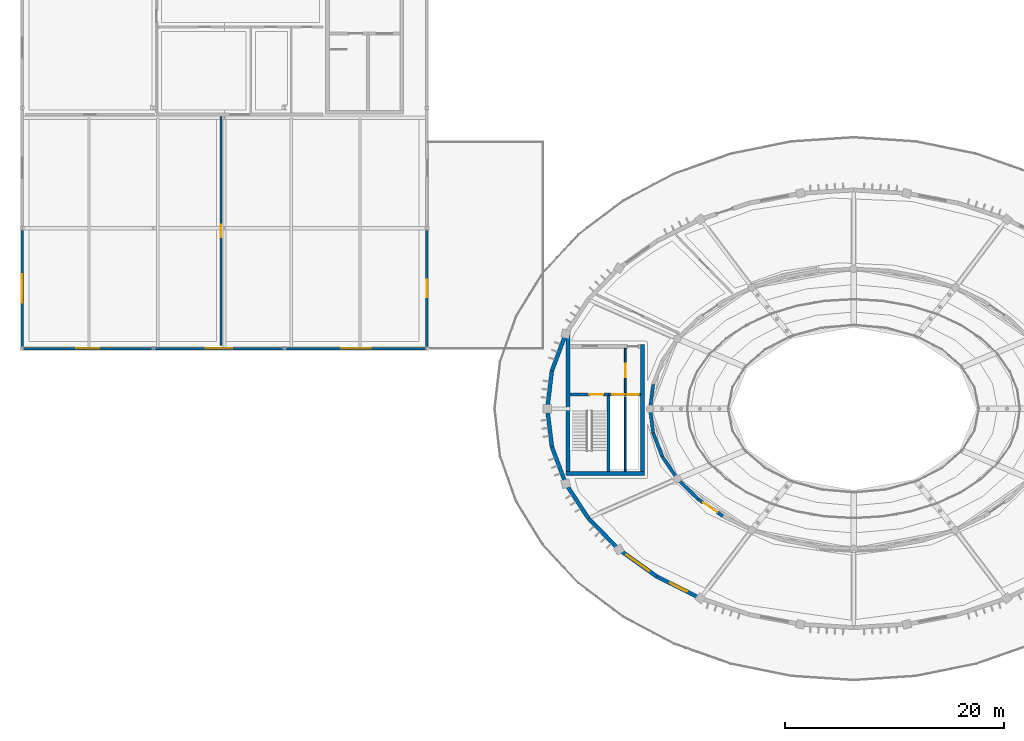
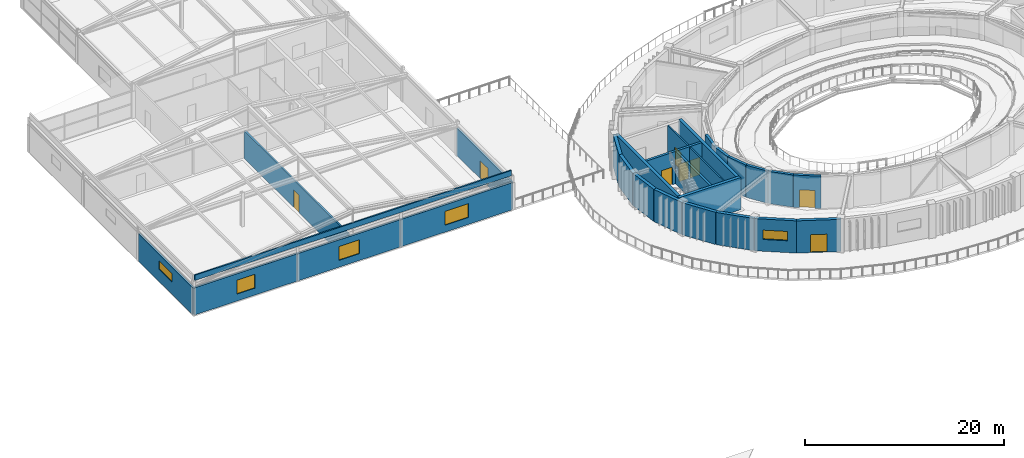
# One storey, part 44 of 63: 29 walls, 8 doors, 5 windows, 13 openings.
"""IFC4 building model written with IfcOpenShell, lengths in metres."""

from ifc_helpers import new_model, si_unit, direction, frame, frame_2d, origin, place, context, subcontext, project, spatial, rectangle, extrude, material, layer, layer_set, type_object, element, fill, save


model = new_model("IFC4")

# Units and contexts
model_context = context("Model", 3, precision=1e-05, world=origin(), true_north=direction((0.0, 1.0)))
body_context = subcontext(model_context, "Body", "Model", "MODEL_VIEW")
ifc_project = project(units=[si_unit("LENGTHUNIT", "METRE"), si_unit("AREAUNIT", "SQUARE_METRE"), si_unit("VOLUMEUNIT", "CUBIC_METRE"), si_unit("PLANEANGLEUNIT", "RADIAN"), si_unit("MASSUNIT", "GRAM", prefix="KILO")], contexts=[model_context])

# Site, building, storey
site_placement = place(None, origin())
site = spatial("IfcSite", under=ifc_project, at=site_placement, CompositionType="ELEMENT")
building_placement = place(site_placement, origin())
building = spatial("IfcBuilding", under=site, at=building_placement, Name="Tarnveldt Headland Concert Hall", CompositionType="ELEMENT")
storey_placement = place(building_placement, frame((0.0, 0.0, 14.39990234375)))
storey = spatial("IfcBuildingStorey", under=building, at=storey_placement, Name="L03", CompositionType="ELEMENT", Elevation=14.39990234375)

# Walls
ifc_material_1 = material(Name="Concrete C40/50", Category="concrete")
ifc_layer_1 = layer(ifc_material_1, 0.35009765625, Name="Concrete C40/50", Category="concrete")
ifc_layer_set_1 = layer_set([ifc_layer_1], Name="Concrete C40/50")
wall_type_1 = type_object("IfcWallType", Name="WL-CR350", PredefinedType="SHEAR", material=ifc_layer_set_1)
wall_1_placement = place(storey_placement, frame((57.22509765625, 48.60009765625, 0.0), z_axis=(0.0, 0.0, 1.0), x_axis=(1.0, 0.0, 0.0)))
element("IfcWall", 1, at=wall_1_placement, inside=storey, type_object=wall_type_1, Name="Core C1 south shear wall L03", PredefinedType="SHEAR", context=body_context, shape_type="SweptSolid", body=[
    extrude(rectangle(XDim=7.14990234375, YDim=0.35009765625, at=frame_2d((3.574951171875, 0.0))), origin(), (0.0, 0.0, 1.0), 3.960205078125),
])
wall_2_placement = place(storey_placement, frame((57.39990234375, 48.77490234375, 0.0), z_axis=(0.0, 0.0, 1.0), x_axis=(0.0, 1.0, 0.0)))
element("IfcWall", 2, at=wall_2_placement, inside=storey, type_object=wall_type_1, Name="Core C1 west shear wall L03", PredefinedType="SHEAR", context=body_context, shape_type="SweptSolid", body=[
    extrude(rectangle(XDim=12.565185546875, YDim=0.35009765625, at=frame_2d((6.28271484375, 0.0))), origin(), (0.0, 0.0, 1.0), 3.960205078125),
])
wall_3_placement = place(storey_placement, frame((64.199951171875, 48.77490234375, 0.0), z_axis=(0.0, 0.0, 1.0), x_axis=(0.0, 1.0, 0.0)))
element("IfcWall", 3, at=wall_3_placement, inside=storey, type_object=wall_type_1, Name="Core C1 east shear wall L03", PredefinedType="SHEAR", context=body_context, shape_type="SweptSolid", body=[
    extrude(rectangle(XDim=11.60009765625, YDim=0.35009765625, at=frame_2d((5.800048828125, 0.0))), origin(), (0.0, 0.0, 1.0), 3.960205078125),
])
ifc_layer_2 = layer(ifc_material_1, 0.360107421875, Name="Concrete C40/50", Category="concrete")
ifc_layer_set_2 = layer_set([ifc_layer_2], Name="Concrete C40/50")
wall_type_2 = type_object("IfcWallType", Name="WL-CR360", PredefinedType="SHEAR", material=ifc_layer_set_2)
wall_4_placement = place(storey_placement, frame((57.188720703125, 61.34033203125, 0.0), z_axis=(0.0, 0.0, 1.0), x_axis=(-0.351279653979, -0.936270583058, 0.0)))
element("IfcWall", 4, at=wall_4_placement, inside=storey, type_object=wall_type_2, Name="Symphony drum shear wall L03-17", PredefinedType="SHEAR", context=body_context, shape_type="SweptSolid", body=[
    extrude(rectangle(XDim=3.5966796875, YDim=0.360107421875, at=frame_2d((1.79833984375, 0.0))), origin(), (0.0, 0.0, 1.0), 3.960205078125),
])
for number, where, z_axis, x_axis, name in (
    (5, (55.92529296875, 57.972900390625, 0.0), (0.0, 0.0, 1.0), (-0.121552414401, -0.99258501427, 0.0), "Symphony drum shear wall L03-18"),
    (6, (55.5, 54.5, 0.0), (0.0, 0.0, 1.0), (0.121552414401, -0.99258501427, 0.0), "Symphony drum shear wall L03-19"),
):
    element("IfcWall", number, at=place(storey_placement, frame(where, z_axis=z_axis, x_axis=x_axis)), inside=storey, type_object=wall_type_2, Name=name, PredefinedType="SHEAR", context=body_context, shape_type="SweptSolid", body=[
        extrude(rectangle(XDim=3.498779296875, YDim=0.360107421875, at=frame_2d((1.74951171875, 0.0))), origin(), (0.0, 0.0, 1.0), 3.960205078125),
    ])
wall_5_placement = place(storey_placement, frame((55.92529296875, 51.027099609375, 0.0), z_axis=(0.0, 0.0, 1.0), x_axis=(0.351279653979, -0.936270583058, 0.0)))
element("IfcWall", 7, at=wall_5_placement, inside=storey, type_object=wall_type_2, Name="Symphony drum shear wall L03-20", PredefinedType="SHEAR", context=body_context, shape_type="SweptSolid", body=[
    extrude(rectangle(XDim=3.5966796875, YDim=0.360107421875, at=frame_2d((1.79833984375, 0.0))), origin(), (0.0, 0.0, 1.0), 3.960205078125),
])
wall_6_placement = place(storey_placement, frame((57.188720703125, 47.65966796875, 0.0), z_axis=(0.0, 0.0, 1.0), x_axis=(0.546611158382, -0.837386554425, 0.0)))
element("IfcWall", 8, at=wall_6_placement, inside=storey, type_object=wall_type_2, Name="Symphony drum shear wall L03-21", PredefinedType="SHEAR", context=body_context, shape_type="SweptSolid", body=[
    extrude(rectangle(XDim=3.773193359375, YDim=0.360107421875, at=frame_2d((1.88671875, 0.0))), origin(), (0.0, 0.0, 1.0), 3.960205078125),
])
wall_7_placement = place(storey_placement, frame((59.251220703125, 44.5, 0.0), z_axis=(0.0, 0.0, 1.0), x_axis=(0.700051268358, -0.714092586203, 0.0)))
element("IfcWall", 9, at=wall_7_placement, inside=storey, type_object=wall_type_2, Name="Symphony drum shear wall L03-22", PredefinedType="SHEAR", context=body_context, shape_type="SweptSolid", body=[
    extrude(rectangle(XDim=3.9990234375, YDim=0.360107421875, at=frame_2d((1.99951171875, 0.0))), origin(), (0.0, 0.0, 1.0), 3.960205078125),
])

# Wall, opening, window
wall_8_placement = place(storey_placement, frame((62.05078125, 41.644287109375, 0.0), z_axis=(0.0, 0.0, 1.0), x_axis=(0.813737360708, -0.581232748378, 0.0)))
wall_8 = element("IfcWall", 10, at=wall_8_placement, inside=storey, type_object=wall_type_2, Name="Symphony drum shear wall L03-23", PredefinedType="SHEAR", context=body_context, shape_type="SweptSolid", body=[
    extrude(rectangle(XDim=4.2412109375, YDim=0.360107421875, at=frame_2d((2.12060546875, 0.0))), origin(), (0.0, 0.0, 1.0), 3.960205078125),
])
opening_1_placement = place(wall_8_placement, frame((0.87060546875, 0.0, 1.449951171875)))
opening_1 = element("IfcOpeningElement", 11, at=opening_1_placement, cuts=wall_8, Name="Opening W-D005", PredefinedType="OPENING", context=body_context, shape_type="SweptSolid", body=[
    extrude(rectangle(XDim=2.5, YDim=1.14990234375, at=frame_2d((1.25, 0.574951171875))), frame((0.0, 0.18994140625, 0.0), z_axis=(0.0, -1.0, 0.0), x_axis=(1.0, 0.0, 0.0)), (0.0, 0.0, 1.0), 0.380126953125),
])
ifc_material_2 = material(Name="Acoustic laminated low-iron double glazing", Category="glass")
window_type_1 = type_object("IfcWindowType", Name="WN-21", PartitioningType="SINGLE_PANEL", PredefinedType="WINDOW", material=ifc_material_2)
window_1_placement = place(opening_1_placement, origin())
window_1 = element("IfcWindow", 12, at=window_1_placement, inside=storey, type_object=window_type_1, Name="Drum acoustic gallery window L03-23", OverallHeight=1.14990234375, OverallWidth=2.5, PartitioningType="SINGLE_PANEL", PredefinedType="WINDOW", context=body_context, shape_type="SweptSolid", body=[
    extrude(rectangle(XDim=2.5, YDim=1.14990234375, at=frame_2d((1.25, 0.574951171875))), frame((0.0, 0.030029296875, 0.0), z_axis=(0.0, -1.0, 0.0), x_axis=(1.0, 0.0, 0.0)), (0.0, 0.0, 1.0), 0.06005859375),
])
fill(opening_1, window_1)

# Wall, opening, door
wall_9_placement = place(storey_placement, frame((65.501953125, 39.17919921875, 0.0), z_axis=(0.0, 0.0, 1.0), x_axis=(0.894361644392, -0.447344664705, 0.0)))
wall_9 = element("IfcWall", 13, at=wall_9_placement, inside=storey, type_object=wall_type_2, Name="Symphony drum shear wall L03-24", PredefinedType="SHEAR", context=body_context, shape_type="SweptSolid", body=[
    extrude(rectangle(XDim=4.47021484375, YDim=0.360107421875, at=frame_2d((2.235107421875, 0.0))), origin(), (0.0, 0.0, 1.0), 3.960205078125),
])
opening_2_placement = place(wall_9_placement, frame((1.385009765625, 0.0, 0.0)))
opening_2 = element("IfcOpeningElement", 14, at=opening_2_placement, cuts=wall_9, Name="Opening TD-L03-3", PredefinedType="OPENING", context=body_context, shape_type="SweptSolid", body=[
    extrude(rectangle(XDim=1.699951171875, YDim=2.199951171875, at=frame_2d((0.85009765625, 1.10009765625))), frame((0.0, 0.18994140625, 0.0), z_axis=(0.0, -1.0, 0.0), x_axis=(1.0, 0.0, 0.0)), (0.0, 0.0, 1.0), 0.380126953125),
])
ifc_material_3 = material(Name="Marine-anodised aluminium EN AW-6063-T6", Category="aluminium")
door_type_1 = type_object("IfcDoorType", Name="DR-TR170", OperationType="NOTDEFINED", PredefinedType="DOOR", material=ifc_material_3)
door_1_placement = place(opening_2_placement, origin())
door_1 = element("IfcDoor", 15, at=door_1_placement, inside=storey, type_object=door_type_1, Name="Drum terrace access door 3", OperationType="SINGLE_SWING_LEFT", OverallHeight=2.199951171875, OverallWidth=1.699951171875, PredefinedType="DOOR", context=body_context, shape_type="SweptSolid", body=[
    extrude(rectangle(XDim=1.699951171875, YDim=2.199951171875, at=frame_2d((0.85009765625, 1.10009765625))), frame((0.0, 0.02490234375, 0.0), z_axis=(0.0, -1.0, 0.0), x_axis=(1.0, 0.0, 0.0)), (0.0, 0.0, 1.0), 0.050048828125),
])
fill(opening_2, door_1)

# Wall, opening, window
ifc_material_4 = material(Name="Coral-toned precast concrete C40/50", Category="concrete")
ifc_layer_3 = layer(ifc_material_4, 0.219970703125, Name="Coral-toned precast concrete C40/50", Category="concrete")
ifc_layer_set_3 = layer_set([ifc_layer_3], Name="Coral-toned precast concrete C40/50")
wall_type_3 = type_object("IfcWallType", Name="WL-EX220", PredefinedType="SOLIDWALL", material=ifc_layer_set_3)
wall_10_placement = place(storey_placement, frame((19.47998046875, 60.0, 0.0), z_axis=(0.0, 0.0, 1.0), x_axis=(-1.0, 0.0, 0.0)))
wall_10 = element("IfcWall", 16, at=wall_10_placement, inside=storey, type_object=wall_type_3, Name="External precast wall L03-312", PredefinedType="SOLIDWALL", context=body_context, shape_type="SweptSolid", body=[
    extrude(rectangle(XDim=11.9599609375, YDim=0.219970703125, at=frame_2d((5.97998046875, 0.0))), origin(), (0.0, 0.0, 1.0), 3.35009765625),
])
opening_3_placement = place(wall_10_placement, frame((4.929931640625, 0.0, 0.85009765625)))
opening_3 = element("IfcOpeningElement", 17, at=opening_3_placement, cuts=wall_10, Name="Opening W-R146", PredefinedType="OPENING", context=body_context, shape_type="SweptSolid", body=[
    extrude(rectangle(XDim=2.10009765625, YDim=1.699951171875, at=frame_2d((1.050048828125, 0.85009765625))), frame((0.0, 0.119873046875, 0.0), z_axis=(0.0, -1.0, 0.0), x_axis=(1.0, 0.0, 0.0)), (0.0, 0.0, 1.0), 0.239990234375),
])
window_type_2 = type_object("IfcWindowType", Name="WN-13", PartitioningType="SINGLE_PANEL", PredefinedType="WINDOW", material=ifc_material_2)
window_2_placement = place(opening_3_placement, origin())
window_2 = element("IfcWindow", 18, at=window_2_placement, inside=storey, type_object=window_type_2, Name="Rehearsal wing acoustic window L03-S1", OverallHeight=1.699951171875, OverallWidth=2.10009765625, PartitioningType="SINGLE_PANEL", PredefinedType="WINDOW", context=body_context, shape_type="SweptSolid", body=[
    extrude(rectangle(XDim=2.10009765625, YDim=1.699951171875, at=frame_2d((1.050048828125, 0.85009765625))), frame((0.0, 0.030029296875, 0.0), z_axis=(0.0, -1.0, 0.0), x_axis=(1.0, 0.0, 0.0)), (0.0, 0.0, 1.0), 0.06005859375),
])
fill(opening_3, window_2)

wall_11_placement = place(storey_placement, frame((31.47998046875, 60.0, 0.0), z_axis=(0.0, 0.0, 1.0), x_axis=(-1.0, 0.0, 0.0)))
wall_11 = element("IfcWall", 19, at=wall_11_placement, inside=storey, type_object=wall_type_3, Name="External precast wall L03-313", PredefinedType="SOLIDWALL", context=body_context, shape_type="SweptSolid", body=[
    extrude(rectangle(XDim=11.9599609375, YDim=0.219970703125, at=frame_2d((5.97998046875, 0.0))), origin(), (0.0, 0.0, 1.0), 3.35009765625),
])
opening_4_placement = place(wall_11_placement, frame((4.780029296875, 0.0, 0.85009765625)))
opening_4 = element("IfcOpeningElement", 20, at=opening_4_placement, cuts=wall_11, Name="Opening W-R147", PredefinedType="OPENING", context=body_context, shape_type="SweptSolid", body=[
    extrude(rectangle(XDim=2.39990234375, YDim=1.699951171875, at=frame_2d((1.199951171875, 0.85009765625))), frame((0.0, 0.119873046875, 0.0), z_axis=(0.0, -1.0, 0.0), x_axis=(1.0, 0.0, 0.0)), (0.0, 0.0, 1.0), 0.239990234375),
])
window_type_3 = type_object("IfcWindowType", Name="WN-14", PartitioningType="SINGLE_PANEL", PredefinedType="WINDOW", material=ifc_material_2)
window_3_placement = place(opening_4_placement, origin())
window_3 = element("IfcWindow", 21, at=window_3_placement, inside=storey, type_object=window_type_3, Name="Rehearsal wing acoustic window L03-S2", OverallHeight=1.699951171875, OverallWidth=2.39990234375, PartitioningType="SINGLE_PANEL", PredefinedType="WINDOW", context=body_context, shape_type="SweptSolid", body=[
    extrude(rectangle(XDim=2.39990234375, YDim=1.699951171875, at=frame_2d((1.199951171875, 0.85009765625))), frame((0.0, 0.030029296875, 0.0), z_axis=(0.0, -1.0, 0.0), x_axis=(1.0, 0.0, 0.0)), (0.0, 0.0, 1.0), 0.06005859375),
])
fill(opening_4, window_3)

wall_12_placement = place(storey_placement, frame((44.47998046875, 60.0, 0.0), z_axis=(0.0, 0.0, 1.0), x_axis=(-1.0, 0.0, 0.0)))
wall_12 = element("IfcWall", 22, at=wall_12_placement, inside=storey, type_object=wall_type_3, Name="External precast wall L03-314", PredefinedType="SOLIDWALL", context=body_context, shape_type="SweptSolid", body=[
    extrude(rectangle(XDim=12.9599609375, YDim=0.219970703125, at=frame_2d((6.47998046875, 0.0))), origin(), (0.0, 0.0, 1.0), 3.35009765625),
])
opening_5_placement = place(wall_12_placement, frame((5.1298828125, 0.0, 0.85009765625)))
opening_5 = element("IfcOpeningElement", 23, at=opening_5_placement, cuts=wall_12, Name="Opening W-R148", PredefinedType="OPENING", context=body_context, shape_type="SweptSolid", body=[
    extrude(rectangle(XDim=2.699951171875, YDim=1.699951171875, at=frame_2d((1.35009765625, 0.85009765625))), frame((0.0, 0.119873046875, 0.0), z_axis=(0.0, -1.0, 0.0), x_axis=(1.0, 0.0, 0.0)), (0.0, 0.0, 1.0), 0.239990234375),
])
window_type_4 = type_object("IfcWindowType", Name="WN-15", PartitioningType="SINGLE_PANEL", PredefinedType="WINDOW", material=ifc_material_2)
window_4_placement = place(opening_5_placement, origin())
window_4 = element("IfcWindow", 24, at=window_4_placement, inside=storey, type_object=window_type_4, Name="Rehearsal wing acoustic window L03-S3", OverallHeight=1.699951171875, OverallWidth=2.699951171875, PartitioningType="SINGLE_PANEL", PredefinedType="WINDOW", context=body_context, shape_type="SweptSolid", body=[
    extrude(rectangle(XDim=2.699951171875, YDim=1.699951171875, at=frame_2d((1.35009765625, 0.85009765625))), frame((0.0, 0.030029296875, 0.0), z_axis=(0.0, -1.0, 0.0), x_axis=(1.0, 0.0, 0.0)), (0.0, 0.0, 1.0), 0.06005859375),
])
fill(opening_5, window_4)

# Wall, opening, door
wall_13_placement = place(storey_placement, frame((44.5, 70.97998046875, 0.0), z_axis=(0.0, 0.0, 1.0), x_axis=(0.0, -1.0, 0.0)))
wall_13 = element("IfcWall", 25, at=wall_13_placement, inside=storey, type_object=wall_type_3, Name="External precast wall L03-315", PredefinedType="SOLIDWALL", context=body_context, shape_type="SweptSolid", body=[
    extrude(rectangle(XDim=10.9599609375, YDim=0.219970703125, at=frame_2d((5.47998046875, 0.0))), origin(), (0.0, 0.0, 1.0), 3.35009765625),
])
opening_6_placement = place(wall_13_placement, frame((4.679931640625, 0.0, 0.0)))
opening_6 = element("IfcOpeningElement", 26, at=opening_6_placement, cuts=wall_13, Name="Opening TD-V5-E1", PredefinedType="OPENING", context=body_context, shape_type="SweptSolid", body=[
    extrude(rectangle(XDim=1.60009765625, YDim=2.199951171875, at=frame_2d((0.800048828125, 1.10009765625))), frame((0.0, 0.119873046875, 0.0), z_axis=(0.0, -1.0, 0.0), x_axis=(1.0, 0.0, 0.0)), (0.0, 0.0, 1.0), 0.239990234375),
])
door_type_2 = type_object("IfcDoorType", Name="DR-TR160", OperationType="NOTDEFINED", PredefinedType="DOOR", material=ifc_material_3)
door_2_placement = place(opening_6_placement, origin())
door_2 = element("IfcDoor", 27, at=door_2_placement, inside=storey, type_object=door_type_2, Name="Musicians terrace door E1", OperationType="DOUBLE_DOOR_SINGLE_SWING", OverallHeight=2.199951171875, OverallWidth=1.60009765625, PredefinedType="DOOR", context=body_context, shape_type="SweptSolid", body=[
    extrude(rectangle(XDim=1.60009765625, YDim=2.199951171875, at=frame_2d((0.800048828125, 1.10009765625))), frame((0.0, 0.02490234375, 0.0), z_axis=(0.0, -1.0, 0.0), x_axis=(1.0, 0.0, 0.0)), (0.0, 0.0, 1.0), 0.050048828125),
])
fill(opening_6, door_2)

# Wall, opening, window
wall_14_placement = place(storey_placement, frame((7.5, 60.02001953125, 0.0), z_axis=(0.0, 0.0, 1.0), x_axis=(0.0, 1.0, 0.0)))
wall_14 = element("IfcWall", 28, at=wall_14_placement, inside=storey, type_object=wall_type_3, Name="External precast wall L03-325", PredefinedType="SOLIDWALL", context=body_context, shape_type="SweptSolid", body=[
    extrude(rectangle(XDim=10.9599609375, YDim=0.219970703125, at=frame_2d((5.47998046875, 0.0))), origin(), (0.0, 0.0, 1.0), 3.35009765625),
])
opening_7_placement = place(wall_14_placement, frame((4.179931640625, 0.0, 1.5)))
opening_7 = element("IfcOpeningElement", 29, at=opening_7_placement, cuts=wall_14, Name="Opening W-R156", PredefinedType="OPENING", context=body_context, shape_type="SweptSolid", body=[
    extrude(rectangle(XDim=2.60009765625, YDim=1.050048828125, at=frame_2d((1.300048828125, 0.52490234375))), frame((0.0, 0.119873046875, 0.0), z_axis=(0.0, -1.0, 0.0), x_axis=(1.0, 0.0, 0.0)), (0.0, 0.0, 1.0), 0.239990234375),
])
window_type_5 = type_object("IfcWindowType", Name="WN-26", PartitioningType="SINGLE_PANEL", PredefinedType="WINDOW", material=ifc_material_2)
window_5_placement = place(opening_7_placement, origin())
window_5 = element("IfcWindow", 30, at=window_5_placement, inside=storey, type_object=window_type_5, Name="Rehearsal wing acoustic window L03-W3", OverallHeight=1.050048828125, OverallWidth=2.60009765625, PartitioningType="SINGLE_PANEL", PredefinedType="WINDOW", context=body_context, shape_type="SweptSolid", body=[
    extrude(rectangle(XDim=2.60009765625, YDim=1.050048828125, at=frame_2d((1.300048828125, 0.52490234375))), frame((0.0, 0.030029296875, 0.0), z_axis=(0.0, -1.0, 0.0), x_axis=(1.0, 0.0, 0.0)), (0.0, 0.0, 1.0), 0.06005859375),
])
fill(opening_7, window_5)

# Walls
ifc_layer_4 = layer(ifc_material_4, 0.1650390625, Name="Coral-toned precast concrete C40/50", Category="concrete")
ifc_layer_set_4 = layer_set([ifc_layer_4], Name="Coral-toned precast concrete C40/50")
wall_type_4 = type_object("IfcWallType", Name="WL-PR165", PredefinedType="PARAPET", material=ifc_layer_set_4)
wall_15_placement = place(storey_placement, frame((7.60009765625, 60.0, 4.2001953125), z_axis=(0.0, 0.0, 1.0), x_axis=(1.0, 0.0, 0.0)))
element("IfcWall", 31, at=wall_15_placement, inside=storey, type_object=wall_type_4, Name="Roof eaves parapet 3", PredefinedType="PARAPET", context=body_context, shape_type="SweptSolid", body=[
    extrude(rectangle(XDim=36.7998046875, YDim=0.1650390625, at=frame_2d((18.39990234375, 0.0))), origin(), (0.0, 0.0, 1.0), 0.64990234375),
])
ifc_material_5 = material(Name="Acoustic multi-layer gypsum and mineral-wool partition", Category="gypsum")
ifc_layer_5 = layer(ifc_material_5, 0.14990234375, Name="Acoustic multi-layer gypsum and mineral-wool partition", Category="gypsum")
ifc_layer_set_5 = layer_set([ifc_layer_5], Name="Acoustic multi-layer gypsum and mineral-wool partition")
wall_type_5 = type_object("IfcWallType", Name="WL-PT150", PredefinedType="PARTITIONING", material=ifc_layer_set_5)
wall_16_placement = place(storey_placement, frame((62.632568359375, 48.77490234375, 0.0), z_axis=(0.0, 0.0, 1.0), x_axis=(0.0, 1.0, 0.0)))
element("IfcWall", 32, at=wall_16_placement, inside=storey, type_object=wall_type_5, Name="Core C1 twin lift divider L03", PredefinedType="PARTITIONING", context=body_context, shape_type="SweptSolid", body=[
    extrude(rectangle(XDim=6.8251953125, YDim=0.14990234375, at=frame_2d((3.41259765625, 0.0))), origin(), (0.0, 0.0, 1.0), 3.9541015625),
])

# Wall, opening, door
ifc_layer_6 = layer(ifc_material_5, 0.1650390625, Name="Acoustic multi-layer gypsum and mineral-wool partition", Category="gypsum")
ifc_layer_set_6 = layer_set([ifc_layer_6], Name="Acoustic multi-layer gypsum and mineral-wool partition")
wall_type_6 = type_object("IfcWallType", Name="WL-PT165", PredefinedType="PARTITIONING", material=ifc_layer_set_6)
wall_17_placement = place(storey_placement, frame((62.632568359375, 55.97998046875, 0.0), z_axis=(0.0, 0.0, 1.0), x_axis=(0.0, 1.0, 0.0)))
wall_17 = element("IfcWall", 33, at=wall_17_placement, inside=storey, type_object=wall_type_6, Name="Core C1 firefighting lobby wall L03", PredefinedType="PARTITIONING", context=body_context, shape_type="SweptSolid", body=[
    extrude(rectangle(XDim=4.0400390625, YDim=0.1650390625, at=frame_2d((2.02001953125, 0.0))), origin(), (0.0, 0.0, 1.0), 3.9541015625),
])
opening_8_placement = place(wall_17_placement, frame((1.419921875, 0.0, 0.0)))
opening_8 = element("IfcOpeningElement", 34, at=opening_8_placement, cuts=wall_17, Name="Opening FFD-C1I-L03", PredefinedType="OPENING", context=body_context, shape_type="SweptSolid", body=[
    extrude(rectangle(XDim=1.199951171875, YDim=2.14990234375, at=frame_2d((0.60009765625, 1.074951171875))), frame((0.0, 0.092529296875, 0.0), z_axis=(0.0, -1.0, 0.0), x_axis=(1.0, 0.0, 0.0)), (0.0, 0.0, 1.0), 0.18505859375),
])
ifc_material_6 = material(Name="Galvanised painted steel sheet", Category="steel")
door_type_3 = type_object("IfcDoorType", Name="DR-ST120", OperationType="NOTDEFINED", PredefinedType="DOOR", material=ifc_material_6)
door_3_placement = place(opening_8_placement, origin())
door_3 = element("IfcDoor", 35, at=door_3_placement, inside=storey, type_object=door_type_3, Name="Core C1 lobby interconnecting fire door L03", OperationType="SINGLE_SWING_LEFT", OverallHeight=2.14990234375, OverallWidth=1.199951171875, PredefinedType="DOOR", context=body_context, shape_type="SweptSolid", body=[
    extrude(rectangle(XDim=1.199951171875, YDim=2.14990234375, at=frame_2d((0.60009765625, 1.074951171875))), frame((0.0, 0.02490234375, 0.0), z_axis=(0.0, -1.0, 0.0), x_axis=(1.0, 0.0, 0.0)), (0.0, 0.0, 1.0), 0.050048828125),
])
fill(opening_8, door_3)

ifc_layer_7 = layer(ifc_material_5, 0.18505859375, Name="Acoustic multi-layer gypsum and mineral-wool partition", Category="gypsum")
ifc_layer_set_7 = layer_set([ifc_layer_7], Name="Acoustic multi-layer gypsum and mineral-wool partition")
wall_type_7 = type_object("IfcWallType", Name="WL-PT185", PredefinedType="PARTITIONING", material=ifc_layer_set_7)
wall_18_placement = place(storey_placement, frame((25.699951171875, 60.300048828125, 0.0), z_axis=(0.0, 0.0, 1.0), x_axis=(0.0, 1.0, 0.0)))
wall_18 = element("IfcWall", 36, at=wall_18_placement, inside=storey, type_object=wall_type_7, Name="Interior acoustic partition L03-110", PredefinedType="PARTITIONING", context=body_context, shape_type="SweptSolid", body=[
    extrude(rectangle(XDim=20.89990234375, YDim=0.18505859375, at=frame_2d((10.449951171875, 0.0))), origin(), (0.0, 0.0, 1.0), 3.39013671875),
])
opening_9_placement = place(wall_18_placement, frame((9.89990234375, 0.0, 0.0)))
opening_9 = element("IfcOpeningElement", 37, at=opening_9_placement, cuts=wall_18, Name="Opening D-L03-129", PredefinedType="OPENING", context=body_context, shape_type="SweptSolid", body=[
    extrude(rectangle(XDim=1.10009765625, YDim=2.14990234375, at=frame_2d((0.550048828125, 1.074951171875))), frame((0.0, 0.1025390625, 0.0), z_axis=(0.0, -1.0, 0.0), x_axis=(1.0, 0.0, 0.0)), (0.0, 0.0, 1.0), 0.205078125),
])
ifc_material_7 = material(Name="Treated East African mvule hardwood", Category="wood")
door_type_4 = type_object("IfcDoorType", Name="DR-RM110", OperationType="NOTDEFINED", PredefinedType="DOOR", material=ifc_material_7)
door_4_placement = place(opening_9_placement, origin())
door_4 = element("IfcDoor", 38, at=door_4_placement, inside=storey, type_object=door_type_4, Name="Interior room door L03-129", OperationType="SINGLE_SWING_LEFT", OverallHeight=2.14990234375, OverallWidth=1.10009765625, PredefinedType="DOOR", context=body_context, shape_type="SweptSolid", body=[
    extrude(rectangle(XDim=1.10009765625, YDim=2.14990234375, at=frame_2d((0.550048828125, 1.074951171875))), frame((0.0, 0.02490234375, 0.0), z_axis=(0.0, -1.0, 0.0), x_axis=(1.0, 0.0, 0.0)), (0.0, 0.0, 1.0), 0.050048828125),
])
fill(opening_9, door_4)

# Wall
ifc_layer_8 = layer(ifc_material_1, 0.27490234375, Name="Concrete C40/50", Category="concrete")
ifc_layer_set_8 = layer_set([ifc_layer_8], Name="Concrete C40/50")
wall_type_8 = type_object("IfcWallType", Name="WL-SH275", PredefinedType="SHEAR", material=ifc_layer_set_8)
wall_19_placement = place(storey_placement, frame((61.10009765625, 48.77490234375, 0.0), z_axis=(0.0, 0.0, 1.0), x_axis=(0.0, 1.0, 0.0)))
element("IfcWall", 39, at=wall_19_placement, inside=storey, type_object=wall_type_8, Name="Core C1 shaft divider wall L03", PredefinedType="SHEAR", context=body_context, shape_type="SweptSolid", body=[
    extrude(rectangle(XDim=6.8876953125, YDim=0.27490234375, at=frame_2d((3.44384765625, 0.0))), origin(), (0.0, 0.0, 1.0), 3.960205078125),
])

# Wall, opening, door
wall_20_placement = place(storey_placement, frame((57.574951171875, 55.800048828125, 0.0), z_axis=(0.0, 0.0, 1.0), x_axis=(1.0, 0.0, 0.0)))
wall_20 = element("IfcWall", 40, at=wall_20_placement, inside=storey, type_object=wall_type_8, Name="Core C1 stair enclosure wall L03", PredefinedType="SHEAR", context=body_context, shape_type="SweptSolid", body=[
    extrude(rectangle(XDim=3.525146484375, YDim=0.27490234375, at=frame_2d((1.7626953125, 0.0))), origin(), (0.0, 0.0, 1.0), 3.960205078125),
])
opening_10_placement = place(wall_20_placement, frame((1.784912109375, 0.0, 0.0)))
opening_10 = element("IfcOpeningElement", 41, at=opening_10_placement, cuts=wall_20, Name="Opening SD-C1-L03", PredefinedType="OPENING", context=body_context, shape_type="SweptSolid", body=[
    extrude(rectangle(XDim=1.25, YDim=2.14990234375, at=frame_2d((0.625, 1.074951171875))), frame((0.0, 0.1474609375, 0.0), z_axis=(0.0, -1.0, 0.0), x_axis=(1.0, 0.0, 0.0)), (0.0, 0.0, 1.0), 0.294921875),
])
door_type_5 = type_object("IfcDoorType", Name="DR-ST125", OperationType="NOTDEFINED", PredefinedType="DOOR", material=ifc_material_6)
door_5_placement = place(opening_10_placement, origin())
door_5 = element("IfcDoor", 42, at=door_5_placement, inside=storey, type_object=door_type_5, Name="Core C1 stair fire door L03", OperationType="SINGLE_SWING_RIGHT", OverallHeight=2.14990234375, OverallWidth=1.25, PredefinedType="DOOR", context=body_context, shape_type="SweptSolid", body=[
    extrude(rectangle(XDim=1.25, YDim=2.14990234375, at=frame_2d((0.625, 1.074951171875))), frame((0.0, 0.02490234375, 0.0), z_axis=(0.0, -1.0, 0.0), x_axis=(1.0, 0.0, 0.0)), (0.0, 0.0, 1.0), 0.050048828125),
])
fill(opening_10, door_5)

# Wall, openings, doors
wall_21_placement = place(storey_placement, frame((61.10009765625, 55.800048828125, 0.0), z_axis=(0.0, 0.0, 1.0), x_axis=(1.0, 0.0, 0.0)))
wall_21 = element("IfcWall", 43, at=wall_21_placement, inside=storey, type_object=wall_type_8, Name="Core C1 lift shaft front wall L03", PredefinedType="SHEAR", context=body_context, shape_type="SweptSolid", body=[
    extrude(rectangle(XDim=2.9248046875, YDim=0.27490234375, at=frame_2d((1.46240234375, 0.0))), origin(), (0.0, 0.0, 1.0), 3.960205078125),
])
opening_11_placement = place(wall_21_placement, frame((0.320068359375, 0.0, 0.0)))
opening_11 = element("IfcOpeningElement", 44, at=opening_11_placement, cuts=wall_21, Name="Opening LD-FFL-01-L03", PredefinedType="OPENING", context=body_context, shape_type="SweptSolid", body=[
    extrude(rectangle(XDim=1.10009765625, YDim=2.14990234375, at=frame_2d((0.550048828125, 1.074951171875))), frame((0.0, 0.1474609375, 0.0), z_axis=(0.0, -1.0, 0.0), x_axis=(1.0, 0.0, 0.0)), (0.0, 0.0, 1.0), 0.294921875),
])
opening_12_placement = place(wall_21_placement, frame((1.64501953125, 0.0, 0.0)))
opening_12 = element("IfcOpeningElement", 45, at=opening_12_placement, cuts=wall_21, Name="Opening LD-LP-01-L03", PredefinedType="OPENING", context=body_context, shape_type="SweptSolid", body=[
    extrude(rectangle(XDim=1.10009765625, YDim=2.14990234375, at=frame_2d((0.550048828125, 1.074951171875))), frame((0.0, 0.1474609375, 0.0), z_axis=(0.0, -1.0, 0.0), x_axis=(1.0, 0.0, 0.0)), (0.0, 0.0, 1.0), 0.294921875),
])
door_type_6 = type_object("IfcDoorType", Name="LD-110", OperationType="NOTDEFINED", PredefinedType="DOOR", material=ifc_material_6)
door_6_placement = place(opening_11_placement, origin())
door_6 = element("IfcDoor", 46, at=door_6_placement, inside=storey, type_object=door_type_6, Name="Lift FFL-01 sliding landing door L03", OperationType="DOUBLE_DOOR_SLIDING", OverallHeight=2.14990234375, OverallWidth=1.10009765625, PredefinedType="DOOR", context=body_context, shape_type="SweptSolid", body=[
    extrude(rectangle(XDim=1.10009765625, YDim=2.14990234375, at=frame_2d((0.550048828125, 1.074951171875))), frame((0.0, 0.02490234375, 0.0), z_axis=(0.0, -1.0, 0.0), x_axis=(1.0, 0.0, 0.0)), (0.0, 0.0, 1.0), 0.050048828125),
])
fill(opening_11, door_6)
door_7_placement = place(opening_12_placement, origin())
door_7 = element("IfcDoor", 47, at=door_7_placement, inside=storey, type_object=door_type_6, Name="Lift LP-01 sliding landing door L03", OperationType="DOUBLE_DOOR_SLIDING", OverallHeight=2.14990234375, OverallWidth=1.10009765625, PredefinedType="DOOR", context=body_context, shape_type="SweptSolid", body=[
    extrude(rectangle(XDim=1.10009765625, YDim=2.14990234375, at=frame_2d((0.550048828125, 1.074951171875))), frame((0.0, 0.02490234375, 0.0), z_axis=(0.0, -1.0, 0.0), x_axis=(1.0, 0.0, 0.0)), (0.0, 0.0, 1.0), 0.050048828125),
])
fill(opening_12, door_7)

# Walls
ifc_layer_9 = layer(ifc_material_1, 0.300048828125, Name="Concrete C40/50", Category="concrete")
ifc_layer_set_9 = layer_set([ifc_layer_9], Name="Concrete C40/50")
wall_type_9 = type_object("IfcWallType", Name="WL-SH300", PredefinedType="SHEAR", material=ifc_layer_set_9)
for number, where, z_axis, x_axis, name in (
    (48, (65.1826171875, 56.72265625, 0.0), (0.0, 0.0, 1.0), (-0.126180195213, -0.992007337844, 0.0), "Acoustic inner box wall L03-18"),
    (49, (64.89990234375, 54.5, 0.0), (0.0, 0.0, 1.0), (0.126180195213, -0.992007337844, 0.0), "Acoustic inner box wall L03-19"),
):
    element("IfcWall", number, at=place(storey_placement, frame(where, z_axis=z_axis, x_axis=x_axis)), inside=storey, type_object=wall_type_9, Name=name, PredefinedType="SHEAR", context=body_context, shape_type="SweptSolid", body=[
        extrude(rectangle(XDim=2.240478515625, YDim=0.300048828125, at=frame_2d((1.1201171875, 0.0))), origin(), (0.0, 0.0, 1.0), 3.960205078125),
    ])
wall_22_placement = place(storey_placement, frame((65.1826171875, 52.27734375, 0.0), z_axis=(0.0, 0.0, 1.0), x_axis=(0.362802811216, -0.931865934657, 0.0)))
element("IfcWall", 50, at=wall_22_placement, inside=storey, type_object=wall_type_9, Name="Acoustic inner box wall L03-20", PredefinedType="SHEAR", context=body_context, shape_type="SweptSolid", body=[
    extrude(rectangle(XDim=2.312744140625, YDim=0.300048828125, at=frame_2d((1.15625, 0.0))), origin(), (0.0, 0.0, 1.0), 3.960205078125),
])
wall_23_placement = place(storey_placement, frame((66.021728515625, 50.1220703125, 0.0), z_axis=(0.0, 0.0, 1.0), x_axis=(0.560958648975, -0.827843822312, 0.0)))
element("IfcWall", 51, at=wall_23_placement, inside=storey, type_object=wall_type_9, Name="Acoustic inner box wall L03-21", PredefinedType="SHEAR", context=body_context, shape_type="SweptSolid", body=[
    extrude(rectangle(XDim=2.4423828125, YDim=0.300048828125, at=frame_2d((1.22119140625, 0.0))), origin(), (0.0, 0.0, 1.0), 3.960205078125),
])
wall_24_placement = place(storey_placement, frame((67.391845703125, 48.10009765625, 0.0), z_axis=(0.0, 0.0, 1.0), x_axis=(0.713212431679, -0.700947949065, 0.0)))
element("IfcWall", 52, at=wall_24_placement, inside=storey, type_object=wall_type_9, Name="Acoustic inner box wall L03-22", PredefinedType="SHEAR", context=body_context, shape_type="SweptSolid", body=[
    extrude(rectangle(XDim=2.607666015625, YDim=0.300048828125, at=frame_2d((1.3037109375, 0.0))), origin(), (0.0, 0.0, 1.0), 3.960205078125),
])

# Wall, opening, door
wall_25_placement = place(storey_placement, frame((69.251708984375, 46.272216796875, 0.0), z_axis=(0.0, 0.0, 1.0), x_axis=(0.823780742291, -0.566908536388, 0.0)))
wall_25 = element("IfcWall", 53, at=wall_25_placement, inside=storey, type_object=wall_type_9, Name="Acoustic inner box wall L03-23", PredefinedType="SHEAR", context=body_context, shape_type="SweptSolid", body=[
    extrude(rectangle(XDim=2.782958984375, YDim=0.300048828125, at=frame_2d((1.3916015625, 0.0))), origin(), (0.0, 0.0, 1.0), 3.960205078125),
])
opening_13_placement = place(wall_25_placement, frame((0.616455078125, 0.0, 0.0)))
opening_13 = element("IfcOpeningElement", 54, at=opening_13_placement, cuts=wall_25, Name="Opening AD-I043", PredefinedType="OPENING", context=body_context, shape_type="SweptSolid", body=[
    extrude(rectangle(XDim=1.550048828125, YDim=2.179931640625, at=frame_2d((0.77490234375, 1.08984375))), frame((0.0, 0.159912109375, 0.0), z_axis=(0.0, -1.0, 0.0), x_axis=(1.0, 0.0, 0.0)), (0.0, 0.0, 1.0), 0.320068359375),
])
door_type_7 = type_object("IfcDoorType", Name="DR-AC155", OperationType="NOTDEFINED", PredefinedType="DOOR", material=ifc_material_7)
door_8_placement = place(opening_13_placement, origin())
door_8 = element("IfcDoor", 55, at=door_8_placement, inside=storey, type_object=door_type_7, Name="Auditorium sound-lock vomitory door L03-23", OperationType="SINGLE_SWING_LEFT", OverallHeight=2.179931640625, OverallWidth=1.550048828125, PredefinedType="DOOR", context=body_context, shape_type="SweptSolid", body=[
    extrude(rectangle(XDim=1.550048828125, YDim=2.179931640625, at=frame_2d((0.77490234375, 1.08984375))), frame((0.0, 0.02490234375, 0.0), z_axis=(0.0, -1.0, 0.0), x_axis=(1.0, 0.0, 0.0)), (0.0, 0.0, 1.0), 0.050048828125),
])
fill(opening_13, door_8)

save(model, "model.ifc")
